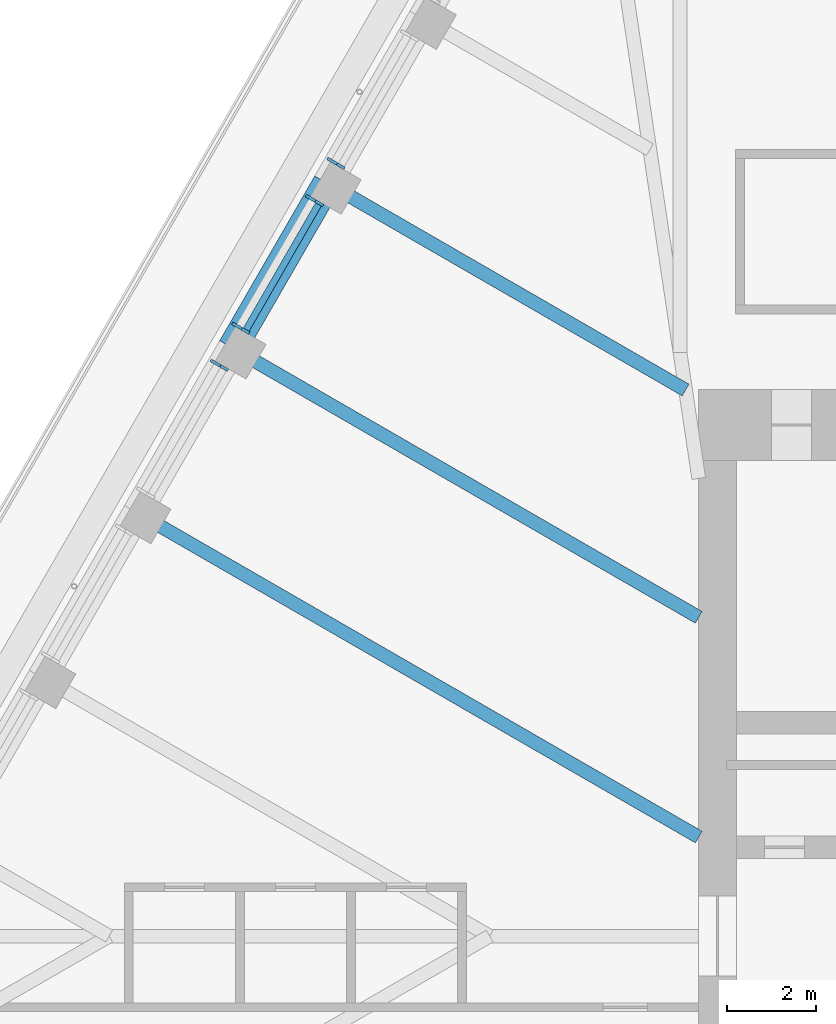
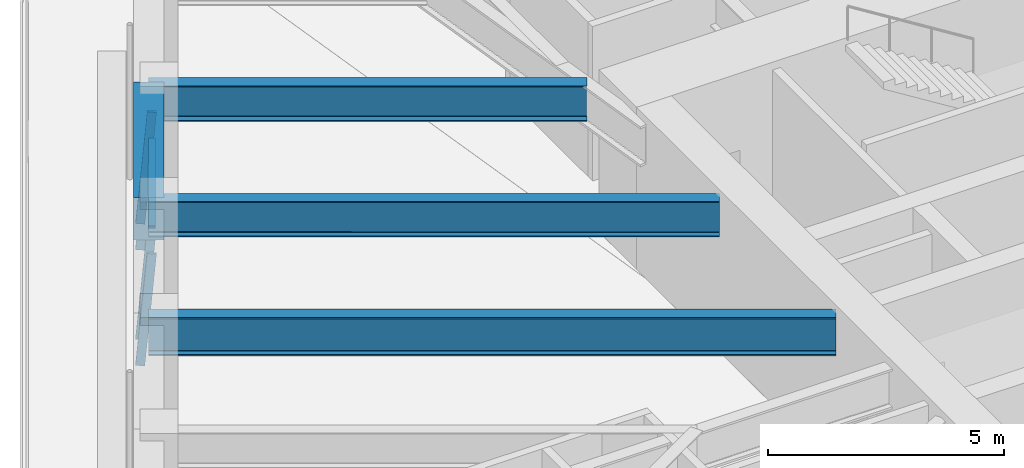
# One storey, part 7 of 19: 5 members, 4 beams, 3 elements without a shape of their own.
"""IFC4 building model written with IfcOpenShell, lengths in metres."""

import ifcopenshell
import ifcopenshell.guid

model = None  # the IFC model being written
_history = None  # IfcOwnerHistory: only IFC2X3 demands one
_inside = {}  # id of a spatial element -> (the spatial element, [elements in it])
_under = {}  # id of a project, library or spatial element -> (it, [spatial elements below it])
_declared = {}  # id of a project -> (the project, [libraries it declares])
_typed = {}  # id of a type object -> (the type object, [elements of that type])
_made_of = {}  # id of a material, layer set ... -> (it, [elements and type objects made of it])


def new_model(schema):
    """Start an empty IFC model of exactly this schema.

    Asked for "IFC4X3", IfcOpenShell would pick the latest addendum, in which some entities
    have other attributes; the version numbers below select the first issue.
    IFC2X3 requires an IfcOwnerHistory on every rooted entity: one is made here for all.
    """
    global model, _history
    if schema == "IFC4X3":
        model = ifcopenshell.file(schema_version=(4, 3, 0, 0))
    else:
        model = ifcopenshell.file(schema=schema)
    _inside.clear()
    _under.clear()
    _declared.clear()
    _typed.clear()
    _made_of.clear()
    _history = None
    if model.schema == "IFC2X3":
        org = make("IfcOrganization", Name="unknown")
        user = make(
            "IfcPersonAndOrganization",
            ThePerson=make("IfcPerson", FamilyName="unknown"),
            TheOrganization=org,
        )
        app = make(
            "IfcApplication",
            ApplicationDeveloper=org,
            Version="unknown",
            ApplicationFullName="unknown",
            ApplicationIdentifier="unknown",
        )
        _history = make(
            "IfcOwnerHistory",
            OwningUser=user,
            OwningApplication=app,
            ChangeAction="ADDED",
            CreationDate=0,
        )
    return model


def make(cls, **values):
    """One entity of the class cls with the attributes given. An attribute that is None is left unset."""
    return model.create_entity(
        cls, **{name: value for name, value in values.items() if value is not None}
    )


def rooted(cls, **values):
    """An entity with a GlobalId (a new one), such as an element, a storey or a relation."""
    return make(cls, GlobalId=ifcopenshell.guid.new(), OwnerHistory=_history, **values)


def si_unit(unit_type, name, prefix=None):
    """IfcSIUnit, for example si_unit("LENGTHUNIT", "METRE", prefix="MILLI")."""
    return make("IfcSIUnit", UnitType=unit_type, Prefix=prefix, Name=name)


def assignment(units):
    """IfcUnitAssignment: the units of a project."""
    return None if units is None else make("IfcUnitAssignment", Units=units)


def point(xyz):
    """IfcCartesianPoint."""
    return None if xyz is None else make("IfcCartesianPoint", Coordinates=xyz)


def direction(xyz):
    """IfcDirection."""
    return None if xyz is None else make("IfcDirection", DirectionRatios=xyz)


def frame(location, z_axis=None, x_axis=None):
    """IfcAxis2Placement3D, a coordinate frame: its origin and axes. An axis left out is left unset."""
    return make(
        "IfcAxis2Placement3D",
        Location=point(location),
        Axis=direction(z_axis),
        RefDirection=direction(x_axis),
    )


def frame_2d(location, x_axis=None):
    """IfcAxis2Placement2D, a coordinate frame in the plane: its origin and x axis."""
    return make(
        "IfcAxis2Placement2D", Location=point(location), RefDirection=direction(x_axis)
    )


def origin():
    """The frame at (0, 0, 0) with its axes left unset."""
    return frame((0.0, 0.0, 0.0))


def origin_2d():
    """The frame at (0, 0) in the plane with its x axis left unset."""
    return frame_2d((0.0, 0.0))


def place(relative_to, where):
    """IfcLocalPlacement: puts the frame where relative to a parent placement (None: the world)."""
    return make(
        "IfcLocalPlacement", PlacementRelTo=relative_to, RelativePlacement=where
    )


def context(
    kind, dimensions, precision=None, world=None, true_north=None, identifier=None
):
    """IfcGeometricRepresentationContext, for example the 3D "Model" context."""
    return make(
        "IfcGeometricRepresentationContext",
        ContextIdentifier=identifier,
        ContextType=kind,
        CoordinateSpaceDimension=dimensions,
        Precision=precision,
        WorldCoordinateSystem=world,
        TrueNorth=true_north,
    )


def subcontext(parent, identifier, kind, view, scale=None):
    """IfcGeometricRepresentationSubContext, for example "Body" below "Model"."""
    return make(
        "IfcGeometricRepresentationSubContext",
        ContextIdentifier=identifier,
        ContextType=kind,
        ParentContext=parent,
        TargetScale=scale,
        TargetView=view,
    )


def project(units=None, contexts=None):
    """IfcProject with its units and contexts."""
    return rooted(
        "IfcProject",
        Name="project",
        RepresentationContexts=contexts,
        UnitsInContext=assignment(units),
    )


def spatial(cls, under=None, at=None, **own):
    """A site, building, storey or space (cls), placed at a placement, below another one or the project."""
    s = rooted(cls, ObjectPlacement=at, **own)
    if under is not None:
        _under.setdefault(under.id(), (under, []))[1].append(s)
    return s


def profile(cls, at=None, kind="AREA", **sizes):
    """A parametric profile (cls). Its sizes go by their IFC names, for example OverallWidth=200.0."""
    return make(cls, ProfileType=kind, Position=at, **sizes)


def rectangle(**sizes):
    """IfcRectangleProfileDef."""
    return profile("IfcRectangleProfileDef", **sizes)


def i_section(**sizes):
    """IfcIShapeProfileDef."""
    return profile("IfcIShapeProfileDef", **sizes)


def extrude(swept, where, along, depth):
    """IfcExtrudedAreaSolid: the profile swept, set in the frame where, extruded along a direction by depth."""
    return make(
        "IfcExtrudedAreaSolid",
        SweptArea=swept,
        Position=where,
        ExtrudedDirection=direction(along),
        Depth=depth,
    )


def shape(context_of_items, identifier, shape_type, items):
    """IfcShapeRepresentation: the items that make up one representation, for example the "Body"."""
    return make(
        "IfcShapeRepresentation",
        ContextOfItems=context_of_items,
        RepresentationIdentifier=identifier,
        RepresentationType=shape_type,
        Items=items,
    )


def material(Name=None, Category=None):
    """IfcMaterial."""
    return make("IfcMaterial", Name=Name, Category=Category)


def material_profile(
    of_material, cross_section, Name=None, Category=None, Priority=None
):
    """IfcMaterialProfile: a cross section and its material."""
    return make(
        "IfcMaterialProfile",
        Name=Name,
        Material=of_material,
        Profile=cross_section,
        Priority=Priority,
        Category=Category,
    )


def profile_set(profiles, Name=None, composite=None):
    """IfcMaterialProfileSet."""
    return make(
        "IfcMaterialProfileSet",
        Name=Name,
        MaterialProfiles=profiles,
        CompositeProfile=composite,
    )


def made_of(thing, what):
    """Note that an element or type object is made of a material, layer set ...; save() writes the relation."""
    if what is not None:
        _made_of.setdefault(what.id(), (what, []))[1].append(thing)
    return thing


def type_object(cls, material=None, **own):
    """A type object (cls), such as IfcWallType, which elements share."""
    return made_of(rooted(cls, **own), material)


def element(
    cls,
    number,
    at=None,
    inside=None,
    cuts=None,
    type_object=None,
    material=None,
    context=None,
    identifier="Body",
    shape_type=None,
    held_by="IfcProductDefinitionShape",
    body=None,
    shapes=None,
    **own,
):
    """One element of the class cls, such as IfcWall. Its Tag is "e" and its number.

    at: its placement. inside: the storey or other place that contains it. cuts: it is an
    opening in that element (IfcRelVoidsElement). A single representation is given by context,
    identifier, shape_type and body (its items); several are given by shapes. held_by: the class
    of the entity that holds the representations. save() writes the other relations.
    """
    e = rooted(cls, Tag="e%d" % number, ObjectPlacement=at, **own)
    if body is not None:
        shapes = [shape(context, identifier, shape_type, body)]
    if shapes is not None:
        e.Representation = make(held_by, Representations=shapes)
    if inside is not None:
        _inside.setdefault(inside.id(), (inside, []))[1].append(e)
    if cuts is not None:
        rooted(
            "IfcRelVoidsElement", RelatingBuildingElement=cuts, RelatedOpeningElement=e
        )
    if type_object is not None:
        _typed.setdefault(type_object.id(), (type_object, []))[1].append(e)
    return made_of(e, material)


def aggregate(whole, parts):
    """IfcRelAggregates: a whole, such as a stair, and the parts it consists of."""
    return rooted("IfcRelAggregates", RelatingObject=whole, RelatedObjects=parts)


def save(model, path):
    """Write the relations noted so far, then the file.

    IfcRelAggregates (storeys below a building ...), IfcRelContainedInSpatialStructure (elements
    in a storey), IfcRelDefinesByType, IfcRelAssociatesMaterial and IfcRelDeclares: one each for
    every whole, place, type object, material and project.
    """
    for whole, parts in _under.values():
        aggregate(whole, parts)
    for where, things in _inside.values():
        rooted(
            "IfcRelContainedInSpatialStructure",
            RelatedElements=things,
            RelatingStructure=where,
        )
    for kind, things in _typed.values():
        rooted("IfcRelDefinesByType", RelatedObjects=things, RelatingType=kind)
    for what, things in _made_of.values():
        rooted("IfcRelAssociatesMaterial", RelatedObjects=things, RelatingMaterial=what)
    for by, libraries in _declared.values():
        rooted("IfcRelDeclares", RelatingContext=by, RelatedDefinitions=libraries)
    model.write(path)


model = new_model("IFC4")

# Units and contexts
model_context = context("Model", 3, precision=1e-05, world=origin(), true_north=direction((0.0, 1.0)))
body_context = subcontext(model_context, "Body", "Model", "MODEL_VIEW")
ifc_project = project(units=[si_unit("LENGTHUNIT", "METRE"), si_unit("AREAUNIT", "SQUARE_METRE"), si_unit("VOLUMEUNIT", "CUBIC_METRE"), si_unit("PLANEANGLEUNIT", "RADIAN"), si_unit("MASSUNIT", "GRAM", prefix="KILO")], contexts=[model_context])

# Site, building, storey
site_placement = place(None, origin())
site = spatial("IfcSite", under=ifc_project, at=site_placement, CompositionType="ELEMENT")
building_placement = place(site_placement, origin())
building = spatial("IfcBuilding", under=site, at=building_placement, Name="Tarfa Lantern Tower", CompositionType="ELEMENT")
storey_placement = place(building_placement, frame((0.0, 0.0, 361.89990234375)))
storey = spatial("IfcBuildingStorey", under=building, at=storey_placement, Name="L82", CompositionType="ELEMENT", Elevation=361.89990234375)

# Curtain wall, member
ifc_material_1 = material(Name="Aluminium framed curtain wall", Category="aluminium")
curtain_wall_type = type_object("IfcCurtainWallType", Name="CW4 CANTED GLAZING EXECUTIVE ZONE 2900", PredefinedType="USERDEFINED", material=ifc_material_1)
curtain_wall_1_placement = place(storey_placement, origin())
curtain_wall_1 = element("IfcCurtainWall", 1, at=curtain_wall_1_placement, inside=storey, type_object=curtain_wall_type, Name="CW4 NW L82", ObjectType="CURTAIN WALL", PredefinedType="USERDEFINED")
ifc_material_2 = material(Name="Aluminium mullion", Category="aluminium")
ifc_material_profile_1 = material_profile(ifc_material_2, rectangle(XDim=0.06494140625, YDim=0.199951171875, at=origin_2d()), Name="AL MULLION 65x200")
ifc_profile_set_1 = profile_set([ifc_material_profile_1], Name="Aluminium mullion")
member_type_1 = type_object("IfcMemberType", Name="CWM1 MULLION 65x200", PredefinedType="MULLION", material=ifc_profile_set_1)
member_1_placement = place(storey_placement, frame((-20.697265625, 17.451171875, 0.0), z_axis=(0.074393603155, -0.042941967097, 0.996303959277), x_axis=(0.499919672301, 0.866071776036, 0.0)))
member_1 = element("IfcMember", 2, at=member_1_placement, type_object=member_type_1, Name="CW4 mullion 2", PredefinedType="MULLION", context=body_context, shape_type="SweptSolid", body=[
    extrude(rectangle(XDim=0.06494140625, YDim=0.199951171875, at=origin_2d()), origin(), (0.0, 0.0, 1.0), 2.910888671875),
])
aggregate(curtain_wall_1, [member_1])

# Curtain wall, members
curtain_wall_2_placement = place(storey_placement, origin())
curtain_wall_2 = element("IfcCurtainWall", 3, at=curtain_wall_2_placement, inside=storey, type_object=curtain_wall_type, Name="CW4 NW L82", ObjectType="CURTAIN WALL", PredefinedType="USERDEFINED")
member_2_placement = place(storey_placement, frame((-21.179931640625, 16.615478515625, 0.0), z_axis=(0.074393603155, -0.042941967097, 0.996303959277), x_axis=(0.499919672301, 0.866071776036, 0.0)))
member_2 = element("IfcMember", 4, at=member_2_placement, type_object=member_type_1, Name="CW4 mullion 1", PredefinedType="MULLION", context=body_context, shape_type="SweptSolid", body=[
    extrude(rectangle(XDim=0.06494140625, YDim=0.199951171875, at=origin_2d()), origin(), (0.0, 0.0, 1.0), 2.910888671875),
])
member_3_placement = place(storey_placement, frame((-22.83837890625, 13.742919921875, 0.0), z_axis=(0.074393603155, -0.042941967097, 0.996303959277), x_axis=(0.499919672301, 0.866071776036, 0.0)))
member_3 = element("IfcMember", 5, at=member_3_placement, type_object=member_type_1, Name="CW4 mullion 2", PredefinedType="MULLION", context=body_context, shape_type="SweptSolid", body=[
    extrude(rectangle(XDim=0.06494140625, YDim=0.199951171875, at=origin_2d()), origin(), (0.0, 0.0, 1.0), 2.910888671875),
])

# Curtain wall, member
curtain_wall_3_placement = place(storey_placement, origin())
curtain_wall_3 = element("IfcCurtainWall", 6, at=curtain_wall_3_placement, inside=storey, type_object=curtain_wall_type, Name="CW4 NW L82", ObjectType="CURTAIN WALL", PredefinedType="USERDEFINED")
member_4_placement = place(storey_placement, frame((-23.32080078125, 12.9072265625, 0.0), z_axis=(0.074393603155, -0.042941967097, 0.996303959277), x_axis=(0.499919672301, 0.866071776036, 0.0)))
member_4 = element("IfcMember", 7, at=member_4_placement, type_object=member_type_1, Name="CW4 mullion 1", PredefinedType="MULLION", context=body_context, shape_type="SweptSolid", body=[
    extrude(rectangle(XDim=0.06494140625, YDim=0.199951171875, at=origin_2d()), origin(), (0.0, 0.0, 1.0), 2.910888671875),
])
aggregate(curtain_wall_3, [member_4])

# Member
ifc_material_3 = material(Name="Aluminium transom", Category="aluminium")
ifc_material_profile_2 = material_profile(ifc_material_3, rectangle(XDim=0.14990234375, YDim=0.06494140625, at=origin_2d()), Name="AL TRANSOM 150x65")
ifc_profile_set_2 = profile_set([ifc_material_profile_2], Name="Aluminium transom")
member_type_2 = type_object("IfcMemberType", Name="CWT1 TRANSOM 150x65", PredefinedType="USERDEFINED", material=ifc_profile_set_2)
member_5_placement = place(storey_placement, frame((-20.98193359375, 16.463623046875, 2.86767578125), z_axis=(-0.500014901547, -0.866016800201, 0.0), x_axis=(0.866016800201, -0.500014901547, 0.0)))
member_5 = element("IfcMember", 8, at=member_5_placement, type_object=member_type_2, Name="CW4 transom 1.2", ObjectType="TRANSOM", PredefinedType="USERDEFINED", context=body_context, shape_type="SweptSolid", body=[
    extrude(rectangle(XDim=0.14990234375, YDim=0.06494140625, at=origin_2d()), origin(), (0.0, 0.0, 1.0), 3.251953125),
])

aggregate(curtain_wall_2, [member_2, member_3, member_5])

# Beams
ifc_material_4 = material(Name="Concrete C80/95", Category="concrete")
ifc_material_profile_3 = material_profile(ifc_material_4, rectangle(XDim=0.64990234375, YDim=1.10009765625, at=origin_2d()), Name="RC 650x1100")
ifc_profile_set_3 = profile_set([ifc_material_profile_3], Name="Concrete C80/95")
beam_type_1 = type_object("IfcBeamType", Name="EB4 RC 650x1100", PredefinedType="SPANDREL", material=ifc_profile_set_3)
beam_1_placement = place(storey_placement, frame((-20.78271484375, 16.943359375, 3.4501953125), z_axis=(-0.499984039138, -0.866034618596, 0.0), x_axis=(0.866034618596, -0.499984039138, 0.0)))
element("IfcBeam", 9, at=beam_1_placement, inside=storey, type_object=beam_type_1, Name="Edge beam NW2", PredefinedType="SPANDREL", context=body_context, shape_type="SweptSolid", body=[
    extrude(rectangle(XDim=0.64990234375, YDim=1.10009765625, at=origin_2d()), origin(), (0.0, 0.0, 1.0), 4.281982421875),
])
ifc_material_5 = material(Name="Steel S460M", Category="steel")
ifc_material_profile_4 = material_profile(ifc_material_5, i_section(OverallWidth=0.302001953125, OverallDepth=1.008056640625, WebThickness=0.02099609375, FlangeThickness=0.0400390625, FilletRadius=0.030029296875, at=origin_2d()), Name="UB1016x305x349")
ifc_profile_set_4 = profile_set([ifc_material_profile_4], Name="Steel S460M")
beam_type_2 = type_object("IfcBeamType", Name="UB1016x305x349", PredefinedType="BEAM", material=ifc_profile_set_4)
beam_2_placement = place(storey_placement, frame((-25.064697265625, 9.526611328125, 3.49609375), z_axis=(0.866029591389, -0.499992746786, 0.0), x_axis=(0.499992746786, 0.866029591389, 0.0)))
element("IfcBeam", 10, at=beam_2_placement, inside=storey, type_object=beam_type_2, Name="Floor beam NW4", PredefinedType="BEAM", context=body_context, shape_type="SweptSolid", body=[
    extrude(i_section(OverallWidth=0.302001953125, OverallDepth=1.008056640625, WebThickness=0.02099609375, FlangeThickness=0.0400390625, FilletRadius=0.030029296875, at=origin_2d()), origin(), (0.0, 0.0, 1.0), 14.594970703125),
])
ifc_material_profile_5 = material_profile(ifc_material_5, i_section(OverallWidth=0.305419921875, OverallDepth=0.91845703125, WebThickness=0.017333984375, FlangeThickness=0.02783203125, FilletRadius=0.01904296875, at=origin_2d()), Name="UB914x305x253")
ifc_profile_set_5 = profile_set([ifc_material_profile_5], Name="Steel S460M")
beam_type_3 = type_object("IfcBeamType", Name="UB914x305x253", PredefinedType="BEAM", material=ifc_profile_set_5)
beam_3_placement = place(storey_placement, frame((-20.78271484375, 16.943359375, 3.541015625), z_axis=(0.866021806508, -0.500006230613, 0.0), x_axis=(0.500006230613, 0.866021806508, 0.0)))
element("IfcBeam", 11, at=beam_3_placement, inside=storey, type_object=beam_type_3, Name="Floor beam NW2", PredefinedType="BEAM", context=body_context, shape_type="SweptSolid", body=[
    extrude(i_section(OverallWidth=0.305419921875, OverallDepth=0.91845703125, WebThickness=0.017333984375, FlangeThickness=0.02783203125, FilletRadius=0.01904296875, at=origin_2d()), origin(), (0.0, 0.0, 1.0), 9.30908203125),
])
beam_4_placement = place(storey_placement, frame((-22.923583984375, 13.235107421875, 3.541015625), z_axis=(0.86601856927, -0.500011837539, 0.0), x_axis=(0.500011837539, 0.86601856927, 0.0)))
element("IfcBeam", 12, at=beam_4_placement, inside=storey, type_object=beam_type_3, Name="Floor beam NW3", PredefinedType="BEAM", context=body_context, shape_type="SweptSolid", body=[
    extrude(i_section(OverallWidth=0.305419921875, OverallDepth=0.91845703125, WebThickness=0.017333984375, FlangeThickness=0.02783203125, FilletRadius=0.01904296875, at=origin_2d()), origin(), (0.0, 0.0, 1.0), 12.122802734375),
])

save(model, "model.ifc")
